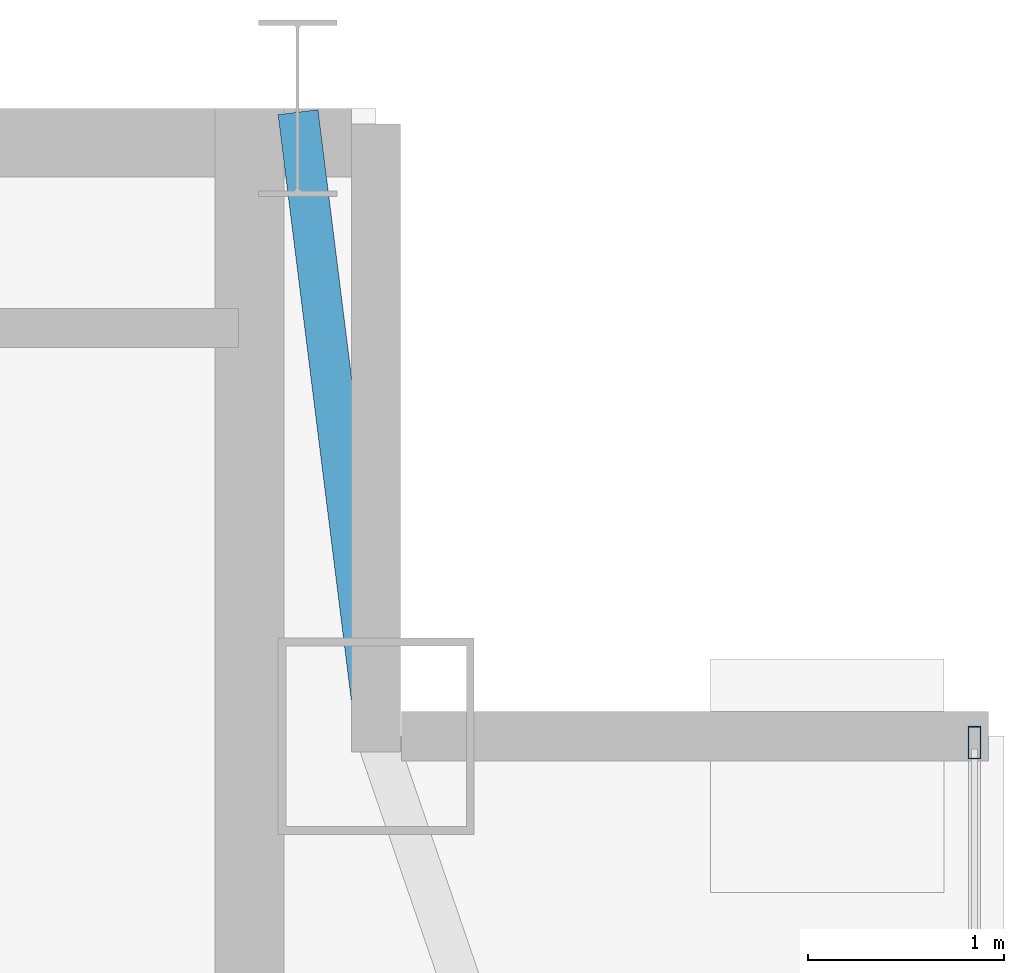
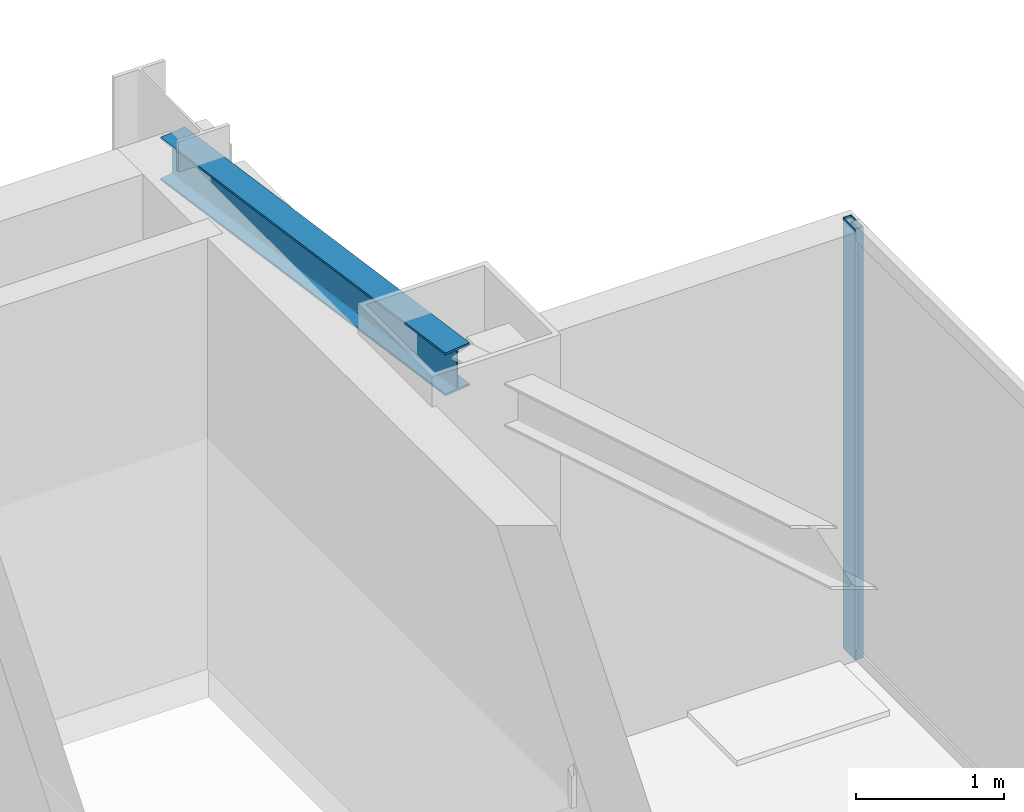
# One storey, part 17 of 25: 1 beam, 1 member, 1 element without a shape of its own.
"""IFC4 building model written with IfcOpenShell, lengths in metres."""

import ifcopenshell
import ifcopenshell.guid

model = None  # the IFC model being written
_history = None  # IfcOwnerHistory: only IFC2X3 demands one
_inside = {}  # id of a spatial element -> (the spatial element, [elements in it])
_under = {}  # id of a project, library or spatial element -> (it, [spatial elements below it])
_declared = {}  # id of a project -> (the project, [libraries it declares])
_typed = {}  # id of a type object -> (the type object, [elements of that type])
_made_of = {}  # id of a material, layer set ... -> (it, [elements and type objects made of it])


def new_model(schema):
    """Start an empty IFC model of exactly this schema.

    Asked for "IFC4X3", IfcOpenShell would pick the latest addendum, in which some entities
    have other attributes; the version numbers below select the first issue.
    IFC2X3 requires an IfcOwnerHistory on every rooted entity: one is made here for all.
    """
    global model, _history
    if schema == "IFC4X3":
        model = ifcopenshell.file(schema_version=(4, 3, 0, 0))
    else:
        model = ifcopenshell.file(schema=schema)
    _inside.clear()
    _under.clear()
    _declared.clear()
    _typed.clear()
    _made_of.clear()
    _history = None
    if model.schema == "IFC2X3":
        org = make("IfcOrganization", Name="unknown")
        user = make(
            "IfcPersonAndOrganization",
            ThePerson=make("IfcPerson", FamilyName="unknown"),
            TheOrganization=org,
        )
        app = make(
            "IfcApplication",
            ApplicationDeveloper=org,
            Version="unknown",
            ApplicationFullName="unknown",
            ApplicationIdentifier="unknown",
        )
        _history = make(
            "IfcOwnerHistory",
            OwningUser=user,
            OwningApplication=app,
            ChangeAction="ADDED",
            CreationDate=0,
        )
    return model


def make(cls, **values):
    """One entity of the class cls with the attributes given. An attribute that is None is left unset."""
    return model.create_entity(
        cls, **{name: value for name, value in values.items() if value is not None}
    )


def rooted(cls, **values):
    """An entity with a GlobalId (a new one), such as an element, a storey or a relation."""
    return make(cls, GlobalId=ifcopenshell.guid.new(), OwnerHistory=_history, **values)


def si_unit(unit_type, name, prefix=None):
    """IfcSIUnit, for example si_unit("LENGTHUNIT", "METRE", prefix="MILLI")."""
    return make("IfcSIUnit", UnitType=unit_type, Prefix=prefix, Name=name)


def assignment(units):
    """IfcUnitAssignment: the units of a project."""
    return None if units is None else make("IfcUnitAssignment", Units=units)


def point(xyz):
    """IfcCartesianPoint."""
    return None if xyz is None else make("IfcCartesianPoint", Coordinates=xyz)


def direction(xyz):
    """IfcDirection."""
    return None if xyz is None else make("IfcDirection", DirectionRatios=xyz)


def frame(location, z_axis=None, x_axis=None):
    """IfcAxis2Placement3D, a coordinate frame: its origin and axes. An axis left out is left unset."""
    return make(
        "IfcAxis2Placement3D",
        Location=point(location),
        Axis=direction(z_axis),
        RefDirection=direction(x_axis),
    )


def frame_2d(location, x_axis=None):
    """IfcAxis2Placement2D, a coordinate frame in the plane: its origin and x axis."""
    return make(
        "IfcAxis2Placement2D", Location=point(location), RefDirection=direction(x_axis)
    )


def origin():
    """The frame at (0, 0, 0) with its axes left unset."""
    return frame((0.0, 0.0, 0.0))


def origin_2d():
    """The frame at (0, 0) in the plane with its x axis left unset."""
    return frame_2d((0.0, 0.0))


def place(relative_to, where):
    """IfcLocalPlacement: puts the frame where relative to a parent placement (None: the world)."""
    return make(
        "IfcLocalPlacement", PlacementRelTo=relative_to, RelativePlacement=where
    )


def context(
    kind, dimensions, precision=None, world=None, true_north=None, identifier=None
):
    """IfcGeometricRepresentationContext, for example the 3D "Model" context."""
    return make(
        "IfcGeometricRepresentationContext",
        ContextIdentifier=identifier,
        ContextType=kind,
        CoordinateSpaceDimension=dimensions,
        Precision=precision,
        WorldCoordinateSystem=world,
        TrueNorth=true_north,
    )


def subcontext(parent, identifier, kind, view, scale=None):
    """IfcGeometricRepresentationSubContext, for example "Body" below "Model"."""
    return make(
        "IfcGeometricRepresentationSubContext",
        ContextIdentifier=identifier,
        ContextType=kind,
        ParentContext=parent,
        TargetScale=scale,
        TargetView=view,
    )


def project(units=None, contexts=None):
    """IfcProject with its units and contexts."""
    return rooted(
        "IfcProject",
        Name="project",
        RepresentationContexts=contexts,
        UnitsInContext=assignment(units),
    )


def spatial(cls, under=None, at=None, **own):
    """A site, building, storey or space (cls), placed at a placement, below another one or the project."""
    s = rooted(cls, ObjectPlacement=at, **own)
    if under is not None:
        _under.setdefault(under.id(), (under, []))[1].append(s)
    return s


def profile(cls, at=None, kind="AREA", **sizes):
    """A parametric profile (cls). Its sizes go by their IFC names, for example OverallWidth=200.0."""
    return make(cls, ProfileType=kind, Position=at, **sizes)


def hollow_rectangle(**sizes):
    """IfcRectangleHollowProfileDef."""
    return profile("IfcRectangleHollowProfileDef", **sizes)


def i_section(**sizes):
    """IfcIShapeProfileDef."""
    return profile("IfcIShapeProfileDef", **sizes)


def extrude(swept, where, along, depth):
    """IfcExtrudedAreaSolid: the profile swept, set in the frame where, extruded along a direction by depth."""
    return make(
        "IfcExtrudedAreaSolid",
        SweptArea=swept,
        Position=where,
        ExtrudedDirection=direction(along),
        Depth=depth,
    )


def shape(context_of_items, identifier, shape_type, items):
    """IfcShapeRepresentation: the items that make up one representation, for example the "Body"."""
    return make(
        "IfcShapeRepresentation",
        ContextOfItems=context_of_items,
        RepresentationIdentifier=identifier,
        RepresentationType=shape_type,
        Items=items,
    )


def source(mapping_origin, context_of_items, identifier, shape_type, items):
    """IfcRepresentationMap: a shape defined once, which mapped items show again and again."""
    return make(
        "IfcRepresentationMap",
        MappingOrigin=mapping_origin,
        MappedRepresentation=shape(context_of_items, identifier, shape_type, items),
    )


def transform(
    local_origin,
    x_axis=None,
    y_axis=None,
    z_axis=None,
    scale=None,
    scale2=None,
    scale3=None,
    uniform=True,
):
    """IfcCartesianTransformationOperator3D, or its non-uniform kind. x_axis, y_axis, z_axis: its Axis1, 2, 3."""
    if uniform:
        return make(
            "IfcCartesianTransformationOperator3D",
            Axis1=direction(x_axis),
            Axis2=direction(y_axis),
            LocalOrigin=point(local_origin),
            Scale=scale,
            Axis3=direction(z_axis),
        )
    return make(
        "IfcCartesianTransformationOperator3DnonUniform",
        Axis1=direction(x_axis),
        Axis2=direction(y_axis),
        LocalOrigin=point(local_origin),
        Scale=scale,
        Axis3=direction(z_axis),
        Scale2=scale2,
        Scale3=scale3,
    )


def mapped(mapping_source, mapping_target):
    """IfcMappedItem: shows the shape of a source again, moved by a transform."""
    return make(
        "IfcMappedItem", MappingSource=mapping_source, MappingTarget=mapping_target
    )


def material(Name=None, Category=None):
    """IfcMaterial."""
    return make("IfcMaterial", Name=Name, Category=Category)


def layer(
    of_material, thickness, ventilated=None, Name=None, Category=None, Priority=None
):
    """IfcMaterialLayer: one layer of a wall or slab, of a material (None: an air gap)."""
    return make(
        "IfcMaterialLayer",
        Material=of_material,
        LayerThickness=thickness,
        IsVentilated=ventilated,
        Name=Name,
        Category=Category,
        Priority=Priority,
    )


def layer_set(layers, Name=None):
    """IfcMaterialLayerSet."""
    return make("IfcMaterialLayerSet", MaterialLayers=layers, LayerSetName=Name)


def material_profile(
    of_material, cross_section, Name=None, Category=None, Priority=None
):
    """IfcMaterialProfile: a cross section and its material."""
    return make(
        "IfcMaterialProfile",
        Name=Name,
        Material=of_material,
        Profile=cross_section,
        Priority=Priority,
        Category=Category,
    )


def profile_set(profiles, Name=None, composite=None):
    """IfcMaterialProfileSet."""
    return make(
        "IfcMaterialProfileSet",
        Name=Name,
        MaterialProfiles=profiles,
        CompositeProfile=composite,
    )


def made_of(thing, what):
    """Note that an element or type object is made of a material, layer set ...; save() writes the relation."""
    if what is not None:
        _made_of.setdefault(what.id(), (what, []))[1].append(thing)
    return thing


def type_object(cls, material=None, **own):
    """A type object (cls), such as IfcWallType, which elements share."""
    return made_of(rooted(cls, **own), material)


def type_shapes(of_type, sources):
    """Give a type object the sources (RepresentationMaps) that its elements show as mapped items."""
    of_type.RepresentationMaps = sources


def element(
    cls,
    number,
    at=None,
    inside=None,
    cuts=None,
    type_object=None,
    material=None,
    context=None,
    identifier="Body",
    shape_type=None,
    held_by="IfcProductDefinitionShape",
    body=None,
    shapes=None,
    **own,
):
    """One element of the class cls, such as IfcWall. Its Tag is "e" and its number.

    at: its placement. inside: the storey or other place that contains it. cuts: it is an
    opening in that element (IfcRelVoidsElement). A single representation is given by context,
    identifier, shape_type and body (its items); several are given by shapes. held_by: the class
    of the entity that holds the representations. save() writes the other relations.
    """
    e = rooted(cls, Tag="e%d" % number, ObjectPlacement=at, **own)
    if body is not None:
        shapes = [shape(context, identifier, shape_type, body)]
    if shapes is not None:
        e.Representation = make(held_by, Representations=shapes)
    if inside is not None:
        _inside.setdefault(inside.id(), (inside, []))[1].append(e)
    if cuts is not None:
        rooted(
            "IfcRelVoidsElement", RelatingBuildingElement=cuts, RelatedOpeningElement=e
        )
    if type_object is not None:
        _typed.setdefault(type_object.id(), (type_object, []))[1].append(e)
    return made_of(e, material)


def aggregate(whole, parts):
    """IfcRelAggregates: a whole, such as a stair, and the parts it consists of."""
    return rooted("IfcRelAggregates", RelatingObject=whole, RelatedObjects=parts)


def save(model, path):
    """Write the relations noted so far, then the file.

    IfcRelAggregates (storeys below a building ...), IfcRelContainedInSpatialStructure (elements
    in a storey), IfcRelDefinesByType, IfcRelAssociatesMaterial and IfcRelDeclares: one each for
    every whole, place, type object, material and project.
    """
    for whole, parts in _under.values():
        aggregate(whole, parts)
    for where, things in _inside.values():
        rooted(
            "IfcRelContainedInSpatialStructure",
            RelatedElements=things,
            RelatingStructure=where,
        )
    for kind, things in _typed.values():
        rooted("IfcRelDefinesByType", RelatedObjects=things, RelatingType=kind)
    for what, things in _made_of.values():
        rooted("IfcRelAssociatesMaterial", RelatedObjects=things, RelatingMaterial=what)
    for by, libraries in _declared.values():
        rooted("IfcRelDeclares", RelatingContext=by, RelatedDefinitions=libraries)
    model.write(path)


model = new_model("IFC4")

# Units and contexts
model_context = context("Model", 3, precision=1e-05, world=origin(), true_north=direction((0.0, 1.0)))
body_context = subcontext(model_context, "Body", "Model", "MODEL_VIEW")
ifc_project = project(units=[si_unit("LENGTHUNIT", "METRE"), si_unit("AREAUNIT", "SQUARE_METRE"), si_unit("VOLUMEUNIT", "CUBIC_METRE"), si_unit("PLANEANGLEUNIT", "RADIAN"), si_unit("MASSUNIT", "GRAM", prefix="KILO")], contexts=[model_context])

# Site, building, storey
site_placement = place(None, origin())
site = spatial("IfcSite", under=ifc_project, at=site_placement, CompositionType="ELEMENT")
building_placement = place(site_placement, origin())
building = spatial("IfcBuilding", under=site, at=building_placement, Name="Varnel Quay Broadcast Tower", CompositionType="ELEMENT")
storey_placement = place(building_placement, frame((0.0, 0.0, 258.39990234375)))
storey = spatial("IfcBuildingStorey", under=building, at=storey_placement, Name="L64", CompositionType="ELEMENT", Elevation=258.39990234375)

# Beam
ifc_material_1 = material(Name="Structural Steel CSA G40.21 350W", Category="steel")
ifc_material_profile_1 = material_profile(ifc_material_1, i_section(OverallWidth=0.205078125, OverallDepth=0.35400390625, WebThickness=0.009521484375, FlangeThickness=0.016845703125, FilletRadius=0.012939453125, at=origin_2d()), Name="W360X79")
ifc_profile_set_1 = profile_set([ifc_material_profile_1], Name="Structural Steel CSA G40.21 350W")
beam_type = type_object("IfcBeamType", Name="Beam_W360X79", PredefinedType="SPANDREL", material=ifc_profile_set_1)
shared_shape_1 = source(origin(), body_context, "Body", "SweptSolid", [
    extrude(i_section(OverallWidth=0.205078125, OverallDepth=0.35400390625, WebThickness=0.009521484375, FlangeThickness=0.016845703125, FilletRadius=0.012939453125, at=origin_2d()), origin(), (0.0, 0.0, 1.0), 3.18505859375),
])
type_shapes(beam_type, [shared_shape_1])
beam_placement = place(storey_placement, frame((52.402587890625, 46.7802734375, 3.373046875), z_axis=(0.124025300311, -0.992279055953, 0.0), x_axis=(0.992279055953, 0.124025300311, 0.0)))
element("IfcBeam", 1, at=beam_placement, inside=storey, type_object=beam_type, Name="L64 NE Tie Spandrel", PredefinedType="SPANDREL", context=body_context, shape_type="MappedRepresentation", body=[
    mapped(shared_shape_1, transform((0.0, 0.0, 0.0), x_axis=(1.0, 0.0, 0.0), y_axis=(0.0, 1.0, 0.0), z_axis=(0.0, 0.0, 1.0), scale=1.0)),
])

# Curtain wall, member
ifc_material_2 = material(Name="Anodised Bronze Aluminium 6063-T6", Category="aluminium")
ifc_layer = layer(ifc_material_2, 0.18994140625, Name="Anodised Bronze Aluminium 6063-T6")
ifc_layer_set = layer_set([ifc_layer], Name="Anodised Bronze Aluminium 6063-T6")
curtain_wall_type = type_object("IfcCurtainWallType", Name="CW_UpperTower", PredefinedType="NOTDEFINED", material=ifc_layer_set)
curtain_wall_placement = place(storey_placement, origin())
curtain_wall = element("IfcCurtainWall", 2, at=curtain_wall_placement, inside=storey, type_object=curtain_wall_type, Name="L64 East Unitised Curtain Wall", PredefinedType="NOTDEFINED")
ifc_material_profile_2 = material_profile(ifc_material_2, hollow_rectangle(XDim=0.06494140625, YDim=0.1650390625, WallThickness=0.00341796875, at=origin_2d()), Name="ALU65X165X3.5")
ifc_profile_set_2 = profile_set([ifc_material_profile_2], Name="Anodised Bronze Aluminium 6063-T6")
member_type = type_object("IfcMemberType", Name="Mull_CWS-03", PredefinedType="MULLION", material=ifc_profile_set_2)
shared_shape_2 = source(origin(), body_context, "Body", "SweptSolid", [
    extrude(hollow_rectangle(XDim=0.06494140625, YDim=0.1650390625, WallThickness=0.00341796875, at=origin_2d()), origin(), (0.0, 0.0, 1.0), 3.550048828125),
])
type_shapes(member_type, [shared_shape_2])
member_placement = place(storey_placement, frame((55.85009765625, 43.5673828125, 0.0), z_axis=(0.0, 0.0, 1.0), x_axis=(-1.0, 0.0, 0.0)))
member = element("IfcMember", 3, at=member_placement, type_object=member_type, Name="CWS-03 mullion 3", PredefinedType="MULLION", context=body_context, shape_type="MappedRepresentation", body=[
    mapped(shared_shape_2, transform((0.0, 0.0, 0.0), x_axis=(1.0, 0.0, 0.0), y_axis=(0.0, 1.0, 0.0), z_axis=(0.0, 0.0, 1.0), scale=1.0)),
])
aggregate(curtain_wall, [member])

save(model, "model.ifc")
